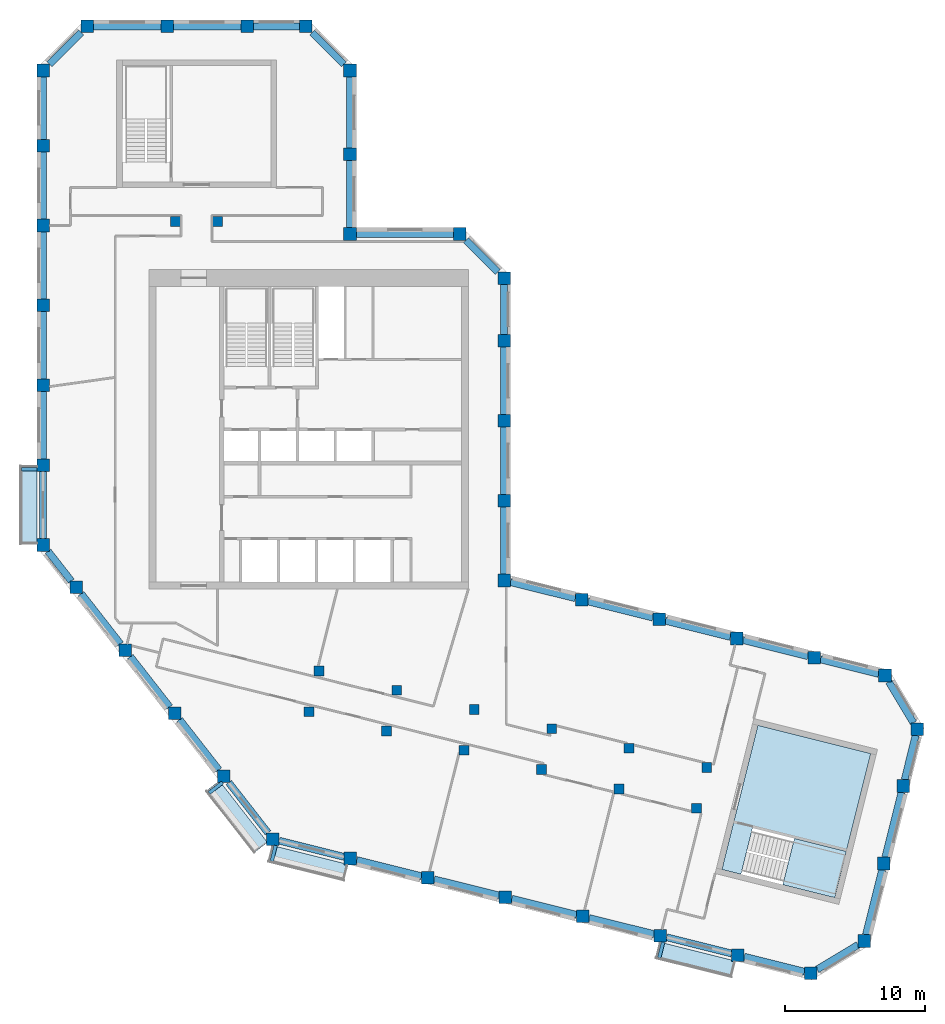
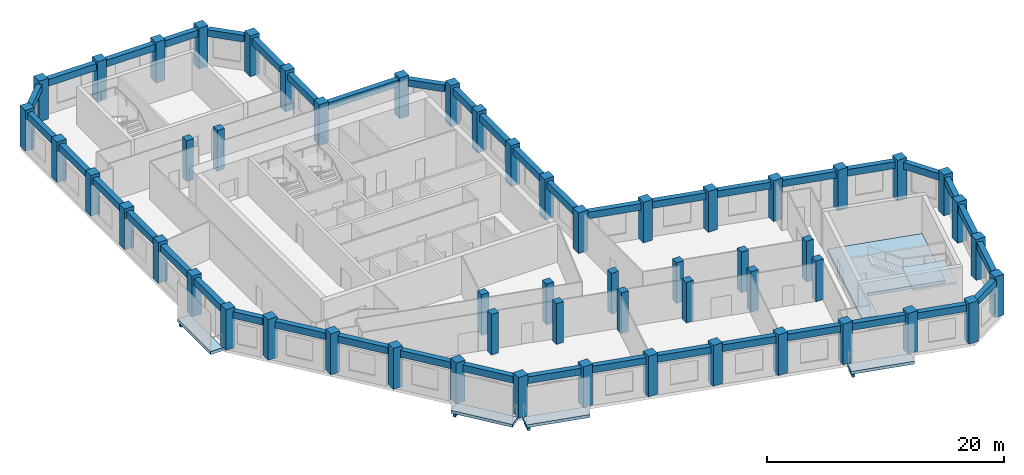
# One storey, part 1 of 8: 55 columns, 45 beams, 6 slabs, 1 element without a shape of its own.
"""IFC4 building model written with IfcOpenShell, lengths in metres."""

from ifc_helpers import new_model, si_unit, direction, frame, origin, origin_2d, place, context, subcontext, project, spatial, polyline, rectangle, outline, extrude, material, layer, layer_set, material_profile, profile_set, type_object, element, aggregate, save


model = new_model("IFC4")

# Units and contexts
model_context = context("Model", 3, precision=1e-05, world=origin(), true_north=direction((0.0, 1.0)))
body_context = subcontext(model_context, "Body", "Model", "MODEL_VIEW")
ifc_project = project(units=[si_unit("LENGTHUNIT", "METRE"), si_unit("AREAUNIT", "SQUARE_METRE"), si_unit("VOLUMEUNIT", "CUBIC_METRE"), si_unit("PLANEANGLEUNIT", "RADIAN"), si_unit("MASSUNIT", "GRAM", prefix="KILO")], contexts=[model_context])

# Site, building, storey
site_placement = place(None, origin())
site = spatial("IfcSite", under=ifc_project, at=site_placement, CompositionType="ELEMENT")
building_placement = place(site_placement, origin())
building = spatial("IfcBuilding", under=site, at=building_placement, Name="Meshkara Civic Tower", CompositionType="ELEMENT")
storey_placement = place(building_placement, frame((0.0, 0.0, 358.199951171875)))
storey = spatial("IfcBuildingStorey", under=building, at=storey_placement, Name="L82", CompositionType="ELEMENT", Elevation=358.199951171875)

# Columns
ifc_material_1 = material(Name="Concrete C50", Category="concrete")
ifc_material_profile_1 = material_profile(ifc_material_1, rectangle(XDim=0.699951171875, YDim=0.699951171875, at=origin_2d()))
ifc_profile_set_1 = profile_set([ifc_material_profile_1], Name="Concrete C50")
column_type_1 = type_object("IfcColumnType", Name="Interior column RC 700x700 C50", PredefinedType="COLUMN", material=ifc_profile_set_1)
for number, where, z_axis, x_axis, name in (
    (1, (9.89990234375, 40.35009765625, 0.0), (0.0, 0.0, 1.0), (1.0, 0.0, 0.0), "Column SA1-04 L82"),
    (2, (12.89990234375, 40.35009765625, 0.0), (0.0, 0.0, 1.0), (1.0, 0.0, 0.0), "Column SA2-04 L82"),
    (3, (19.424072265625, 5.360107421875, 0.0), (0.0, 0.0, 1.0), (1.0, 0.0, 0.0), "Column SB1-00 L82"),
    (4, (24.9541015625, 3.98095703125, 0.0), (0.0, 0.0, 1.0), (1.0, 0.0, 0.0), "Column SB1-01 L82"),
    (5, (30.485107421875, 2.60205078125, 0.0), (0.0, 0.0, 1.0), (1.0, 0.0, 0.0), "Column SB1-02 L82"),
    (6, (36.01611328125, 1.222900390625, 0.0), (0.0, 0.0, 1.0), (1.0, 0.0, 0.0), "Column SB1-03 L82"),
    (7, (41.5458984375, -0.156005859375, 0.0), (0.0, 0.0, 1.0), (1.0, 0.0, 0.0), "Column SB1-04 L82"),
    (8, (47.076904296875, -1.534912109375, 0.0), (0.0, 0.0, 1.0), (1.0, 0.0, 0.0), "Column SB1-05 L82"),
    (9, (20.14892578125, 8.27099609375, 0.0), (0.0, 0.0, 1.0), (1.0, 0.0, 0.0), "Column SB2-00 L82"),
    (10, (25.679931640625, 6.89208984375, 0.0), (0.0, 0.0, 1.0), (1.0, 0.0, 0.0), "Column SB2-01 L82"),
    (11, (31.2109375, 5.512939453125, 0.0), (0.0, 0.0, 1.0), (1.0, 0.0, 0.0), "Column SB2-02 L82"),
    (12, (36.741943359375, 4.134033203125, 0.0), (0.0, 0.0, 1.0), (1.0, 0.0, 0.0), "Column SB2-03 L82"),
    (13, (42.27197265625, 2.7548828125, 0.0), (0.0, 0.0, 1.0), (1.0, 0.0, 0.0), "Column SB2-04 L82"),
    (14, (47.802978515625, 1.3759765625, 0.0), (0.0, 0.0, 1.0), (1.0, 0.0, 0.0), "Column SB2-05 L82"),
):
    element("IfcColumn", number, at=place(storey_placement, frame(where, z_axis=z_axis, x_axis=x_axis)), inside=storey, type_object=column_type_1, Name=name, PredefinedType="COLUMN", context=body_context, shape_type="SweptSolid", body=[
        extrude(rectangle(XDim=0.699951171875, YDim=0.699951171875, at=origin_2d()), origin(), (0.0, 0.0, 1.0), 4.199951171875),
    ])
ifc_material_2 = material(Name="Concrete C50", Category="concrete")
ifc_material_profile_2 = material_profile(ifc_material_2, rectangle(XDim=0.89990234375, YDim=0.89990234375, at=origin_2d()))
ifc_profile_set_2 = profile_set([ifc_material_profile_2], Name="Concrete C50")
column_type_2 = type_object("IfcColumnType", Name="Perimeter column RC 900x900 C50", PredefinedType="COLUMN", material=ifc_profile_set_2)
for number, where, z_axis, x_axis, name in (
    (15, (33.35009765625, 14.718994140625, 0.0), (0.0, 0.0, 1.0), (1.0, 0.0, 0.0), "Column HE00 L82"),
    (16, (33.35009765625, 20.4189453125, 0.0), (0.0, 0.0, 1.0), (1.0, 0.0, 0.0), "Column HE01 L82"),
    (17, (33.35009765625, 26.118896484375, 0.0), (0.0, 0.0, 1.0), (1.0, 0.0, 0.0), "Column HE02 L82"),
    (18, (33.35009765625, 31.819091796875, 0.0), (0.0, 0.0, 1.0), (1.0, 0.0, 0.0), "Column HE03 L82"),
    (19, (33.35009765625, 36.2939453125, 0.0), (0.0, 0.0, 1.0), (1.0, 0.0, 0.0), "Column HEE L82"),
    (20, (30.194091796875, 39.449951171875, 0.0), (0.0, 0.0, 1.0), (1.0, 0.0, 0.0), "Column HCeE L82"),
    (21, (22.35009765625, 39.449951171875, 0.0), (0.0, 0.0, 1.0), (1.0, 0.0, 0.0), "Column HN00 L82"),
    (22, (22.35009765625, 45.14990234375, 0.0), (0.0, 0.0, 1.0), (1.0, 0.0, 0.0), "Column AE01 L82"),
    (23, (22.35009765625, 51.114013671875, 0.0), (0.0, 0.0, 1.0), (1.0, 0.0, 0.0), "Column AEEP5 L82"),
    (24, (19.194091796875, 54.27001953125, 0.0), (0.0, 0.0, 1.0), (1.0, 0.0, 0.0), "Column ATiEP5 L82"),
    (25, (3.60595703125, 54.27001953125, 0.0), (0.0, 0.0, 1.0), (1.0, 0.0, 0.0), "Column AT00-P5 L82"),
    (26, (9.305908203125, 54.27001953125, 0.0), (0.0, 0.0, 1.0), (1.0, 0.0, 0.0), "Column AT01-P5 L82"),
    (27, (15.006103515625, 54.27001953125, 0.0), (0.0, 0.0, 1.0), (1.0, 0.0, 0.0), "Column AT02-P5 L82"),
    (28, (0.449951171875, 51.114013671875, 0.0), (0.0, 0.0, 1.0), (1.0, 0.0, 0.0), "Column ATo00-P5 L82"),
    (29, (0.449951171875, 17.2548828125, 0.0), (0.0, 0.0, 1.0), (1.0, 0.0, 0.0), "Column AW00 L82"),
    (30, (0.449951171875, 22.955078125, 0.0), (0.0, 0.0, 1.0), (1.0, 0.0, 0.0), "Column AW01 L82"),
    (31, (0.449951171875, 28.655029296875, 0.0), (0.0, 0.0, 1.0), (1.0, 0.0, 0.0), "Column AW02 L82"),
    (32, (0.449951171875, 34.35498046875, 0.0), (0.0, 0.0, 1.0), (1.0, 0.0, 0.0), "Column AW03 L82"),
    (33, (0.449951171875, 40.054931640625, 0.0), (0.0, 0.0, 1.0), (1.0, 0.0, 0.0), "Column AW04 L82"),
    (34, (0.449951171875, 45.7548828125, 0.0), (0.0, 0.0, 1.0), (1.0, 0.0, 0.0), "Column AW05 L82"),
    (35, (16.85107421875, -3.738037109375, 0.0), (0.0, 0.0, 1.0), (1.0, 0.0, 0.0), "Column BOW00 L82"),
    (36, (13.342041015625, 0.75390625, 0.0), (0.0, 0.0, 1.0), (1.0, 0.0, 0.0), "Column BOW01 L82"),
    (37, (9.8330078125, 5.2451171875, 0.0), (0.0, 0.0, 1.0), (1.0, 0.0, 0.0), "Column BOW02 L82"),
    (38, (6.322998046875, 9.737060546875, 0.0), (0.0, 0.0, 1.0), (1.0, 0.0, 0.0), "Column BOW03 L82"),
    (39, (2.81396484375, 14.22900390625, 0.0), (0.0, 0.0, 1.0), (1.0, 0.0, 0.0), "Column BOW04 L82"),
    (40, (22.382080078125, -5.116943359375, 0.0), (0.0, 0.0, 1.0), (1.0, 0.0, 0.0), "Column BS01 L82"),
    (41, (27.912109375, -6.49609375, 0.0), (0.0, 0.0, 1.0), (1.0, 0.0, 0.0), "Column BS02 L82"),
    (42, (33.443115234375, -7.875, 0.0), (0.0, 0.0, 1.0), (1.0, 0.0, 0.0), "Column BS03 L82"),
    (43, (38.97412109375, -9.25390625, 0.0), (0.0, 0.0, 1.0), (1.0, 0.0, 0.0), "Column BS04 L82"),
    (44, (44.50390625, -10.633056640625, 0.0), (0.0, 0.0, 1.0), (1.0, 0.0, 0.0), "Column BS05-P4 L82"),
    (45, (50.034912109375, -12.011962890625, 0.0), (0.0, 0.0, 1.0), (1.0, 0.0, 0.0), "Column BS06-P4 L82"),
    (46, (55.235107421875, -13.30810546875, 0.0), (0.0, 0.0, 1.0), (1.0, 0.0, 0.0), "Column BSEP5 L82"),
    (47, (59.06103515625, -11.009033203125, 0.0), (0.0, 0.0, 1.0), (1.0, 0.0, 0.0), "Column BToEP5 L82"),
    (48, (60.43994140625, -5.47802734375, 0.0), (0.0, 0.0, 1.0), (1.0, 0.0, 0.0), "Column BT01-P5 L82"),
    (49, (61.819091796875, 0.052001953125, 0.0), (0.0, 0.0, 1.0), (1.0, 0.0, 0.0), "Column BT02-P5 L82"),
    (50, (62.83203125, 4.114990234375, 0.0), (0.0, 0.0, 1.0), (1.0, 0.0, 0.0), "Column BTEP5 L82"),
    (51, (60.532958984375, 7.94091796875, 0.0), (0.0, 0.0, 1.0), (1.0, 0.0, 0.0), "Column BTi00-P5 L82"),
    (52, (38.881103515625, 13.340087890625, 0.0), (0.0, 0.0, 1.0), (1.0, 0.0, 0.0), "Column BN01 L82"),
    (53, (44.410888671875, 11.9609375, 0.0), (0.0, 0.0, 1.0), (1.0, 0.0, 0.0), "Column BN02 L82"),
    (54, (49.94189453125, 10.58203125, 0.0), (0.0, 0.0, 1.0), (1.0, 0.0, 0.0), "Column BN03 L82"),
    (55, (55.472900390625, 9.202880859375, 0.0), (0.0, 0.0, 1.0), (1.0, 0.0, 0.0), "Column BN04 L82"),
):
    element("IfcColumn", number, at=place(storey_placement, frame(where, z_axis=z_axis, x_axis=x_axis)), inside=storey, type_object=column_type_2, Name=name, PredefinedType="COLUMN", context=body_context, shape_type="SweptSolid", body=[
        extrude(rectangle(XDim=0.89990234375, YDim=0.89990234375, at=origin_2d()), origin(), (0.0, 0.0, 1.0), 4.199951171875),
    ])

# Beams
ifc_material_3 = material(Name="Concrete C50", Category="concrete")
ifc_material_profile_3 = material_profile(ifc_material_3, rectangle(XDim=0.25, YDim=0.39990234375, at=origin_2d()))
ifc_profile_set_3 = profile_set([ifc_material_profile_3], Name="Concrete C50")
beam_type_1 = type_object("IfcBeamType", Name="Balcony bracket beam RC 250x400 C50", PredefinedType="BEAM", material=ifc_profile_set_3)
beam_1_placement = place(storey_placement, frame((0.0048828125, 22.655029296875, -0.5), z_axis=(-1.0, 0.0, 0.0), x_axis=(0.0, -1.0, 0.0)))
element("IfcBeam", 56, at=beam_1_placement, inside=storey, type_object=beam_type_1, Name="Balcony bracket beam", PredefinedType="BEAM", context=body_context, shape_type="SweptSolid", body=[
    extrude(rectangle(XDim=0.25, YDim=0.39990234375, at=origin_2d()), origin(), (0.0, 0.0, 1.0), 1.10498046875),
])
beam_2_placement = place(storey_placement, frame((13.257080078125, 0.306884765625, -0.5), z_axis=(-0.788012120422, -0.615659725878, 0.0), x_axis=(0.615659725878, -0.788012120422, 0.0)))
element("IfcBeam", 57, at=beam_2_placement, inside=storey, type_object=beam_type_1, Name="Balcony bracket beam", PredefinedType="BEAM", context=body_context, shape_type="SweptSolid", body=[
    extrude(rectangle(XDim=0.25, YDim=0.39990234375, at=origin_2d()), origin(), (0.0, 0.0, 1.0), 1.208251953125),
])
beam_3_placement = place(storey_placement, frame((17.049072265625, -4.18310546875, -0.5), z_axis=(-0.241944119929, -0.970290184858, 0.0), x_axis=(0.970290184858, -0.241944119929, 0.0)))
element("IfcBeam", 58, at=beam_3_placement, inside=storey, type_object=beam_type_1, Name="Balcony bracket beam", PredefinedType="BEAM", context=body_context, shape_type="SweptSolid", body=[
    extrude(rectangle(XDim=0.25, YDim=0.39990234375, at=origin_2d()), origin(), (0.0, 0.0, 1.0), 1.16552734375),
])
beam_4_placement = place(storey_placement, frame((44.701904296875, -11.077880859375, -0.5), z_axis=(-0.241894953997, -0.970302443175, 0.0), x_axis=(0.970302443175, -0.241894953997, 0.0)))
element("IfcBeam", 59, at=beam_4_placement, inside=storey, type_object=beam_type_1, Name="Balcony bracket beam", PredefinedType="BEAM", context=body_context, shape_type="SweptSolid", body=[
    extrude(rectangle(XDim=0.25, YDim=0.39990234375, at=origin_2d()), origin(), (0.0, 0.0, 1.0), 1.165771484375),
])
ifc_material_4 = material(Name="Concrete C50", Category="concrete")
ifc_material_profile_4 = material_profile(ifc_material_4, rectangle(XDim=0.5, YDim=0.699951171875, at=origin_2d()))
ifc_profile_set_4 = profile_set([ifc_material_profile_4], Name="Concrete C50")
beam_type_2 = type_object("IfcBeamType", Name="Spandrel beam RC 500x700 C50", PredefinedType="BEAM", material=ifc_profile_set_4)
for number, where, z_axis, x_axis, name in (
    (60, (55.02783203125, 9.31396484375, 3.550048828125), (-0.970298442389, 0.241911001604, 0.0), (-0.241911001604, -0.970298442389, 0.0), "Spandrel beam BN03-BN04"),
    (61, (49.496826171875, 10.693115234375, 3.550048828125), (-0.970298442389, 0.241911001604, 0.0), (-0.241911001604, -0.970298442389, 0.0), "Spandrel beam BN02-BN03"),
):
    element("IfcBeam", number, at=place(storey_placement, frame(where, z_axis=z_axis, x_axis=x_axis)), inside=storey, type_object=beam_type_2, Name=name, PredefinedType="BEAM", context=body_context, shape_type="SweptSolid", body=[
        extrude(rectangle(XDim=0.5, YDim=0.699951171875, at=origin_2d()), origin(), (0.0, 0.0, 1.0), 4.78271484375),
    ])
beam_5_placement = place(storey_placement, frame((43.9658203125, 12.072021484375, 3.550048828125), z_axis=(-0.970286489601, 0.241958938867, 0.0), x_axis=(-0.241958938867, -0.970286489601, 0.0)))
element("IfcBeam", 62, at=beam_5_placement, inside=storey, type_object=beam_type_2, Name="Spandrel beam BN01-BN02", PredefinedType="BEAM", context=body_context, shape_type="SweptSolid", body=[
    extrude(rectangle(XDim=0.5, YDim=0.699951171875, at=origin_2d()), origin(), (0.0, 0.0, 1.0), 4.78173828125),
])
beam_6_placement = place(storey_placement, frame((38.435791015625, 13.450927734375, 3.550048828125), z_axis=(-0.970298442389, 0.241911001604, 0.0), x_axis=(-0.241911001604, -0.970298442389, 0.0)))
element("IfcBeam", 63, at=beam_6_placement, inside=storey, type_object=beam_type_2, Name="Spandrel beam BN01-HE00", PredefinedType="BEAM", context=body_context, shape_type="SweptSolid", body=[
    extrude(rectangle(XDim=0.5, YDim=0.699951171875, at=origin_2d()), origin(), (0.0, 0.0, 1.0), 4.78271484375),
])
for number, where, z_axis, x_axis, name in (
    (64, (33.35009765625, 15.1640625, 3.550048828125), (0.0, 1.0, 0.0), (-1.0, 0.0, 0.0), "Spandrel beam HE00-HE01"),
    (65, (33.35009765625, 20.864013671875, 3.550048828125), (0.0, 1.0, 0.0), (-1.0, 0.0, 0.0), "Spandrel beam HE01-HE02"),
    (66, (33.35009765625, 26.56396484375, 3.550048828125), (0.0, 1.0, 0.0), (-1.0, 0.0, 0.0), "Spandrel beam HE02-HE03"),
):
    element("IfcBeam", number, at=place(storey_placement, frame(where, z_axis=z_axis, x_axis=x_axis)), inside=storey, type_object=beam_type_2, Name=name, PredefinedType="BEAM", context=body_context, shape_type="SweptSolid", body=[
        extrude(rectangle(XDim=0.5, YDim=0.699951171875, at=origin_2d()), origin(), (0.0, 0.0, 1.0), 4.81005859375),
    ])
beam_7_placement = place(storey_placement, frame((33.35009765625, 32.263916015625, 3.550048828125), z_axis=(0.0, 1.0, 0.0), x_axis=(-1.0, 0.0, 0.0)))
element("IfcBeam", 67, at=beam_7_placement, inside=storey, type_object=beam_type_2, Name="Spandrel beam HE03-HEE", PredefinedType="BEAM", context=body_context, shape_type="SweptSolid", body=[
    extrude(rectangle(XDim=0.5, YDim=0.699951171875, at=origin_2d()), origin(), (0.0, 0.0, 1.0), 3.585205078125),
])
beam_8_placement = place(storey_placement, frame((32.903564453125, 36.740478515625, 3.550048828125), z_axis=(-0.707144921739, 0.707068638576, 0.0), x_axis=(-0.707068638576, -0.707144921739, 0.0)))
element("IfcBeam", 68, at=beam_8_placement, inside=storey, type_object=beam_type_2, Name="Spandrel beam HCeE-HEE", PredefinedType="BEAM", context=body_context, shape_type="SweptSolid", body=[
    extrude(rectangle(XDim=0.5, YDim=0.699951171875, at=origin_2d()), origin(), (0.0, 0.0, 1.0), 3.200439453125),
])
beam_9_placement = place(storey_placement, frame((29.7490234375, 39.449951171875, 3.550048828125), z_axis=(-1.0, 0.0, 0.0), x_axis=(0.0, -1.0, 0.0)))
element("IfcBeam", 69, at=beam_9_placement, inside=storey, type_object=beam_type_2, Name="Spandrel beam HCeE-HN00", PredefinedType="BEAM", context=body_context, shape_type="SweptSolid", body=[
    extrude(rectangle(XDim=0.5, YDim=0.699951171875, at=origin_2d()), origin(), (0.0, 0.0, 1.0), 6.9541015625),
])
beam_10_placement = place(storey_placement, frame((22.35009765625, 39.89501953125, 3.550048828125), z_axis=(0.0, 1.0, 0.0), x_axis=(-1.0, 0.0, 0.0)))
element("IfcBeam", 70, at=beam_10_placement, inside=storey, type_object=beam_type_2, Name="Spandrel beam AE01-HN00", PredefinedType="BEAM", context=body_context, shape_type="SweptSolid", body=[
    extrude(rectangle(XDim=0.5, YDim=0.699951171875, at=origin_2d()), origin(), (0.0, 0.0, 1.0), 4.81005859375),
])
beam_11_placement = place(storey_placement, frame((22.35009765625, 45.594970703125, 3.550048828125), z_axis=(0.0, 1.0, 0.0), x_axis=(-1.0, 0.0, 0.0)))
element("IfcBeam", 71, at=beam_11_placement, inside=storey, type_object=beam_type_2, Name="Spandrel beam AE01-AEEP5", PredefinedType="BEAM", context=body_context, shape_type="SweptSolid", body=[
    extrude(rectangle(XDim=0.5, YDim=0.699951171875, at=origin_2d()), origin(), (0.0, 0.0, 1.0), 5.073974609375),
])
beam_12_placement = place(storey_placement, frame((21.903564453125, 51.560546875, 3.550048828125), z_axis=(-0.707144921739, 0.707068638576, 0.0), x_axis=(-0.707068638576, -0.707144921739, 0.0)))
element("IfcBeam", 72, at=beam_12_placement, inside=storey, type_object=beam_type_2, Name="Spandrel beam AEEP5-ATiEP5", PredefinedType="BEAM", context=body_context, shape_type="SweptSolid", body=[
    extrude(rectangle(XDim=0.5, YDim=0.699951171875, at=origin_2d()), origin(), (0.0, 0.0, 1.0), 3.200439453125),
])
beam_13_placement = place(storey_placement, frame((18.7490234375, 54.27001953125, 3.550048828125), z_axis=(-1.0, 0.0, 0.0), x_axis=(0.0, -1.0, 0.0)))
element("IfcBeam", 73, at=beam_13_placement, inside=storey, type_object=beam_type_2, Name="Spandrel beam AT02-P5-ATiEP5", PredefinedType="BEAM", context=body_context, shape_type="SweptSolid", body=[
    extrude(rectangle(XDim=0.5, YDim=0.699951171875, at=origin_2d()), origin(), (0.0, 0.0, 1.0), 3.298095703125),
])
for number, where, z_axis, x_axis, name in (
    (74, (14.56103515625, 54.27001953125, 3.550048828125), (-1.0, 0.0, 0.0), (0.0, -1.0, 0.0), "Spandrel beam AT01-P5-AT02-P5"),
    (75, (8.861083984375, 54.27001953125, 3.550048828125), (-1.0, 0.0, 0.0), (0.0, -1.0, 0.0), "Spandrel beam AT00-P5-AT01-P5"),
):
    element("IfcBeam", number, at=place(storey_placement, frame(where, z_axis=z_axis, x_axis=x_axis)), inside=storey, type_object=beam_type_2, Name=name, PredefinedType="BEAM", context=body_context, shape_type="SweptSolid", body=[
        extrude(rectangle(XDim=0.5, YDim=0.699951171875, at=origin_2d()), origin(), (0.0, 0.0, 1.0), 4.81005859375),
    ])
beam_14_placement = place(storey_placement, frame((3.159423828125, 53.823486328125, 3.550048828125), z_axis=(-0.707106781187, -0.707106781187, 0.0), x_axis=(0.707106781187, -0.707106781187, 0.0)))
element("IfcBeam", 76, at=beam_14_placement, inside=storey, type_object=beam_type_2, Name="Spandrel beam AT00-P5-ATo00-P5", PredefinedType="BEAM", context=body_context, shape_type="SweptSolid", body=[
    extrude(rectangle(XDim=0.5, YDim=0.699951171875, at=origin_2d()), origin(), (0.0, 0.0, 1.0), 3.2001953125),
])
beam_15_placement = place(storey_placement, frame((0.449951171875, 50.6689453125, 3.550048828125), z_axis=(0.0, -1.0, 0.0), x_axis=(1.0, 0.0, 0.0)))
element("IfcBeam", 77, at=beam_15_placement, inside=storey, type_object=beam_type_2, Name="Spandrel beam ATo00-P5-AW05", PredefinedType="BEAM", context=body_context, shape_type="SweptSolid", body=[
    extrude(rectangle(XDim=0.5, YDim=0.699951171875, at=origin_2d()), origin(), (0.0, 0.0, 1.0), 4.468994140625),
])
for number, where, z_axis, x_axis, name in (
    (78, (0.449951171875, 45.31005859375, 3.550048828125), (0.0, -1.0, 0.0), (1.0, 0.0, 0.0), "Spandrel beam AW04-AW05"),
    (79, (0.449951171875, 39.610107421875, 3.550048828125), (0.0, -1.0, 0.0), (1.0, 0.0, 0.0), "Spandrel beam AW03-AW04"),
):
    element("IfcBeam", number, at=place(storey_placement, frame(where, z_axis=z_axis, x_axis=x_axis)), inside=storey, type_object=beam_type_2, Name=name, PredefinedType="BEAM", context=body_context, shape_type="SweptSolid", body=[
        extrude(rectangle(XDim=0.5, YDim=0.699951171875, at=origin_2d()), origin(), (0.0, 0.0, 1.0), 4.81005859375),
    ])
beam_16_placement = place(storey_placement, frame((0.449951171875, 33.909912109375, 3.550048828125), z_axis=(0.0, -1.0, 0.0), x_axis=(1.0, 0.0, 0.0)))
element("IfcBeam", 80, at=beam_16_placement, inside=storey, type_object=beam_type_2, Name="Spandrel beam AW02-AW03", PredefinedType="BEAM", context=body_context, shape_type="SweptSolid", body=[
    extrude(rectangle(XDim=0.5, YDim=0.699951171875, at=origin_2d()), origin(), (0.0, 0.0, 1.0), 4.809814453125),
])
for number, where, z_axis, x_axis, name in (
    (81, (0.449951171875, 28.2099609375, 3.550048828125), (0.0, -1.0, 0.0), (1.0, 0.0, 0.0), "Spandrel beam AW01-AW02"),
    (82, (0.449951171875, 22.510009765625, 3.550048828125), (0.0, -1.0, 0.0), (1.0, 0.0, 0.0), "Spandrel beam AW00-AW01"),
):
    element("IfcBeam", number, at=place(storey_placement, frame(where, z_axis=z_axis, x_axis=x_axis)), inside=storey, type_object=beam_type_2, Name=name, PredefinedType="BEAM", context=body_context, shape_type="SweptSolid", body=[
        extrude(rectangle(XDim=0.5, YDim=0.699951171875, at=origin_2d()), origin(), (0.0, 0.0, 1.0), 4.81005859375),
    ])
beam_17_placement = place(storey_placement, frame((0.798583984375, 16.808837890625, 3.550048828125), z_axis=(0.615637043197, -0.788029841468, 0.0), x_axis=(0.788029841468, 0.615637043197, 0.0)))
element("IfcBeam", 83, at=beam_17_placement, inside=storey, type_object=beam_type_2, Name="Spandrel beam AW00-BOW04", PredefinedType="BEAM", context=body_context, shape_type="SweptSolid", body=[
    extrude(rectangle(XDim=0.5, YDim=0.699951171875, at=origin_2d()), origin(), (0.0, 0.0, 1.0), 2.707763671875),
])
beam_18_placement = place(storey_placement, frame((3.162353515625, 13.782958984375, 3.550048828125), z_axis=(0.615626410665, -0.788038147865, 0.0), x_axis=(0.788038147865, 0.615626410665, 0.0)))
element("IfcBeam", 84, at=beam_18_placement, inside=storey, type_object=beam_type_2, Name="Spandrel beam BOW03-BOW04", PredefinedType="BEAM", context=body_context, shape_type="SweptSolid", body=[
    extrude(rectangle(XDim=0.5, YDim=0.699951171875, at=origin_2d()), origin(), (0.0, 0.0, 1.0), 4.568115234375),
])
beam_19_placement = place(storey_placement, frame((6.67138671875, 9.291015625, 3.550048828125), z_axis=(0.615759141311, -0.787934438829, 0.0), x_axis=(0.787934438829, 0.615759141311, 0.0)))
element("IfcBeam", 85, at=beam_19_placement, inside=storey, type_object=beam_type_2, Name="Spandrel beam BOW02-BOW03", PredefinedType="BEAM", context=body_context, shape_type="SweptSolid", body=[
    extrude(rectangle(XDim=0.5, YDim=0.699951171875, at=origin_2d()), origin(), (0.0, 0.0, 1.0), 4.568603515625),
])
beam_20_placement = place(storey_placement, frame((10.181396484375, 4.798828125, 3.550048828125), z_axis=(0.615722879711, -0.78796277539, 0.0), x_axis=(0.78796277539, 0.615722879711, 0.0)))
element("IfcBeam", 86, at=beam_20_placement, inside=storey, type_object=beam_type_2, Name="Spandrel beam BOW01-BOW02", PredefinedType="BEAM", context=body_context, shape_type="SweptSolid", body=[
    extrude(rectangle(XDim=0.5, YDim=0.699951171875, at=origin_2d()), origin(), (0.0, 0.0, 1.0), 4.56689453125),
])
beam_21_placement = place(storey_placement, frame((13.6904296875, 0.307861328125, 3.550048828125), z_axis=(0.615626410665, -0.788038147865, 0.0), x_axis=(0.788038147865, 0.615626410665, 0.0)))
element("IfcBeam", 87, at=beam_21_placement, inside=storey, type_object=beam_type_2, Name="Spandrel beam BOW00-BOW01", PredefinedType="BEAM", context=body_context, shape_type="SweptSolid", body=[
    extrude(rectangle(XDim=0.5, YDim=0.699951171875, at=origin_2d()), origin(), (0.0, 0.0, 1.0), 4.568115234375),
])
beam_22_placement = place(storey_placement, frame((17.296142578125, -3.84912109375, 3.550048828125), z_axis=(0.970301429476, -0.241899020164, 0.0), x_axis=(0.241899020164, 0.970301429476, 0.0)))
element("IfcBeam", 88, at=beam_22_placement, inside=storey, type_object=beam_type_2, Name="Spandrel beam BOW00-BS01", PredefinedType="BEAM", context=body_context, shape_type="SweptSolid", body=[
    extrude(rectangle(XDim=0.5, YDim=0.699951171875, at=origin_2d()), origin(), (0.0, 0.0, 1.0), 4.782958984375),
])
beam_23_placement = place(storey_placement, frame((22.8271484375, -5.22802734375, 3.550048828125), z_axis=(0.970286489601, -0.241958938867, 0.0), x_axis=(0.241958938867, 0.970286489601, 0.0)))
element("IfcBeam", 89, at=beam_23_placement, inside=storey, type_object=beam_type_2, Name="Spandrel beam BS01-BS02", PredefinedType="BEAM", context=body_context, shape_type="SweptSolid", body=[
    extrude(rectangle(XDim=0.5, YDim=0.699951171875, at=origin_2d()), origin(), (0.0, 0.0, 1.0), 4.78173828125),
])
for number, where, z_axis, x_axis, name in (
    (90, (28.357177734375, -6.60693359375, 3.550048828125), (0.970298442389, -0.241911001604, 0.0), (0.241911001604, 0.970298442389, 0.0), "Spandrel beam BS02-BS03"),
    (91, (33.88818359375, -7.986083984375, 3.550048828125), (0.970298442389, -0.241911001604, 0.0), (0.241911001604, 0.970298442389, 0.0), "Spandrel beam BS03-BS04"),
):
    element("IfcBeam", number, at=place(storey_placement, frame(where, z_axis=z_axis, x_axis=x_axis)), inside=storey, type_object=beam_type_2, Name=name, PredefinedType="BEAM", context=body_context, shape_type="SweptSolid", body=[
        extrude(rectangle(XDim=0.5, YDim=0.699951171875, at=origin_2d()), origin(), (0.0, 0.0, 1.0), 4.78271484375),
    ])
beam_24_placement = place(storey_placement, frame((39.419189453125, -9.364990234375, 3.550048828125), z_axis=(0.970286489601, -0.241958938867, 0.0), x_axis=(0.241958938867, 0.970286489601, 0.0)))
element("IfcBeam", 92, at=beam_24_placement, inside=storey, type_object=beam_type_2, Name="Spandrel beam BS04-BS05-P4", PredefinedType="BEAM", context=body_context, shape_type="SweptSolid", body=[
    extrude(rectangle(XDim=0.5, YDim=0.699951171875, at=origin_2d()), origin(), (0.0, 0.0, 1.0), 4.78173828125),
])
beam_25_placement = place(storey_placement, frame((44.94921875, -10.743896484375, 3.550048828125), z_axis=(0.970298442389, -0.241911001604, 0.0), x_axis=(0.241911001604, 0.970298442389, 0.0)))
element("IfcBeam", 93, at=beam_25_placement, inside=storey, type_object=beam_type_2, Name="Spandrel beam BS05-P4-BS06-P4", PredefinedType="BEAM", context=body_context, shape_type="SweptSolid", body=[
    extrude(rectangle(XDim=0.5, YDim=0.699951171875, at=origin_2d()), origin(), (0.0, 0.0, 1.0), 4.78271484375),
])
beam_26_placement = place(storey_placement, frame((50.47998046875, -12.122802734375, 3.550048828125), z_axis=(0.97031362237, -0.241850106975, 0.0), x_axis=(0.241850106975, 0.97031362237, 0.0)))
element("IfcBeam", 94, at=beam_26_placement, inside=storey, type_object=beam_type_2, Name="Spandrel beam BS06-P4-BSEP5", PredefinedType="BEAM", context=body_context, shape_type="SweptSolid", body=[
    extrude(rectangle(XDim=0.5, YDim=0.699951171875, at=origin_2d()), origin(), (0.0, 0.0, 1.0), 4.441650390625),
])
beam_27_placement = place(storey_placement, frame((55.6806640625, -13.040283203125, 3.550048828125), z_axis=(0.857146668312, 0.515072411416, 0.0), x_axis=(-0.515072411416, 0.857146668312, 0.0)))
element("IfcBeam", 95, at=beam_27_placement, inside=storey, type_object=beam_type_2, Name="Spandrel beam BSEP5-BToEP5", PredefinedType="BEAM", context=body_context, shape_type="SweptSolid", body=[
    extrude(rectangle(XDim=0.5, YDim=0.699951171875, at=origin_2d()), origin(), (0.0, 0.0, 1.0), 3.423583984375),
])
beam_28_placement = place(storey_placement, frame((59.172119140625, -10.56396484375, 3.550048828125), z_axis=(0.241899020164, 0.970301429476, 0.0), x_axis=(-0.970301429476, 0.241899020164, 0.0)))
element("IfcBeam", 96, at=beam_28_placement, inside=storey, type_object=beam_type_2, Name="Spandrel beam BT01-P5-BToEP5", PredefinedType="BEAM", context=body_context, shape_type="SweptSolid", body=[
    extrude(rectangle(XDim=0.5, YDim=0.699951171875, at=origin_2d()), origin(), (0.0, 0.0, 1.0), 4.782958984375),
])
beam_29_placement = place(storey_placement, frame((60.551025390625, -5.032958984375, 3.550048828125), z_axis=(0.241946952825, 0.970289478464, 0.0), x_axis=(-0.970289478464, 0.241946952825, 0.0)))
element("IfcBeam", 97, at=beam_29_placement, inside=storey, type_object=beam_type_2, Name="Spandrel beam BT01-P5-BT02-P5", PredefinedType="BEAM", context=body_context, shape_type="SweptSolid", body=[
    extrude(rectangle(XDim=0.5, YDim=0.699951171875, at=origin_2d()), origin(), (0.0, 0.0, 1.0), 4.781982421875),
])
beam_30_placement = place(storey_placement, frame((61.929931640625, 0.4970703125, 3.550048828125), z_axis=(0.241903146974, 0.970300400641, 0.0), x_axis=(-0.970300400641, 0.241903146974, 0.0)))
element("IfcBeam", 98, at=beam_30_placement, inside=storey, type_object=beam_type_2, Name="Spandrel beam BT02-P5-BTEP5", PredefinedType="BEAM", context=body_context, shape_type="SweptSolid", body=[
    extrude(rectangle(XDim=0.5, YDim=0.699951171875, at=origin_2d()), origin(), (0.0, 0.0, 1.0), 3.27001953125),
])
beam_31_placement = place(storey_placement, frame((62.564208984375, 4.560791015625, 3.550048828125), z_axis=(-0.515072411416, 0.857146668312, 0.0), x_axis=(-0.857146668312, -0.515072411416, 0.0)))
element("IfcBeam", 99, at=beam_31_placement, inside=storey, type_object=beam_type_2, Name="Spandrel beam BTEP5-BTi00-P5", PredefinedType="BEAM", context=body_context, shape_type="SweptSolid", body=[
    extrude(rectangle(XDim=0.5, YDim=0.699951171875, at=origin_2d()), origin(), (0.0, 0.0, 1.0), 3.423583984375),
])
beam_32_placement = place(storey_placement, frame((60.087890625, 8.052001953125, 3.550048828125), z_axis=(-0.970272690872, 0.242014266826, 0.0), x_axis=(-0.242014266826, -0.970272690872, 0.0)))
element("IfcBeam", 100, at=beam_32_placement, inside=storey, type_object=beam_type_2, Name="Spandrel beam BN04-BTi00-P5", PredefinedType="BEAM", context=body_context, shape_type="SweptSolid", body=[
    extrude(rectangle(XDim=0.5, YDim=0.699951171875, at=origin_2d()), origin(), (0.0, 0.0, 1.0), 4.29736328125),
])

# Slabs
ifc_material_5 = material(Name="Concrete C40", Category="concrete")
ifc_layer_1 = layer(ifc_material_5, 0.300048828125)
ifc_layer_set_1 = layer_set([ifc_layer_1], Name="BALCONY SLAB")
slab_type_1 = type_object("IfcSlabType", Name="BALCONY SLAB", PredefinedType="FLOOR", material=ifc_layer_set_1)
slab_1_placement = place(storey_placement, frame((0.0, 0.0, -0.300048828125)))
element("IfcSlab", 101, at=slab_1_placement, inside=storey, type_object=slab_type_1, Name="Balcony slab", PredefinedType="FLOOR", context=body_context, shape_type="SweptSolid", body=[
    extrude(outline(polyline([(0.0, 17.705078125), (0.0, 17.31494140625), (-1.199951171875, 17.31494140625), (-1.199951171875, 22.89501953125), (0.0, 22.89501953125), (0.0, 22.5048828125), (0.0, 17.705078125)])), origin(), (0.0, 0.0, 1.0), 0.300048828125),
])
slab_2_placement = place(storey_placement, frame((0.0, 0.0, -0.300048828125)))
element("IfcSlab", 102, at=slab_2_placement, inside=storey, type_object=slab_type_1, Name="Balcony slab", PredefinedType="FLOOR", context=body_context, shape_type="SweptSolid", body=[
    extrude(outline(polyline([(15.513916015625, -4.7060546875), (12.0791015625, -0.30908203125), (12.89208984375, 0.325927734375), (12.89208984375, 0.303955078125), (13.1220703125, 0.303955078125), (16.40087890625, -3.89306640625), (16.40087890625, -4.012939453125), (15.513916015625, -4.7060546875)])), origin(), (0.0, 0.0, 1.0), 0.300048828125),
])
slab_3_placement = place(storey_placement, frame((0.0, 0.0, -0.300048828125)))
element("IfcSlab", 103, at=slab_3_placement, inside=storey, type_object=slab_type_1, Name="Balcony slab", PredefinedType="FLOOR", context=body_context, shape_type="SweptSolid", body=[
    extrude(outline(polyline([(21.925048828125, -6.702880859375), (16.510009765625, -5.35302734375), (16.800048828125, -4.18896484375), (21.931884765625, -5.468017578125), (21.931884765625, -5.56689453125), (22.2080078125, -5.56689453125), (21.925048828125, -6.702880859375)])), origin(), (0.0, 0.0, 1.0), 0.300048828125),
])
slab_4_placement = place(storey_placement, frame((0.0, 0.0, -0.300048828125)))
element("IfcSlab", 104, at=slab_4_placement, inside=storey, type_object=slab_type_1, Name="Balcony slab", PredefinedType="FLOOR", context=body_context, shape_type="SweptSolid", body=[
    extrude(outline(polyline([(49.577880859375, -13.597900390625), (44.1630859375, -12.248046875), (44.452880859375, -11.083984375), (49.5849609375, -12.363037109375), (49.5849609375, -12.4619140625), (49.861083984375, -12.4619140625), (49.577880859375, -13.597900390625)])), origin(), (0.0, 0.0, 1.0), 0.300048828125),
])
ifc_material_6 = material(Name="Concrete C40/50", Category="concrete")
ifc_layer_2 = layer(ifc_material_6, 0.300048828125)
ifc_layer_set_2 = layer_set([ifc_layer_2], Name="Core floor slab 300 C40/50")
slab_type_2 = type_object("IfcSlabType", Name="Core floor slab 300 C40/50", PredefinedType="FLOOR", material=ifc_layer_set_2)
slab_5_placement = place(storey_placement, frame((0.0, 0.0, -0.300048828125)))
element("IfcSlab", 105, at=slab_5_placement, inside=storey, type_object=slab_type_2, Name="Core floor EB", PredefinedType="FLOOR", context=body_context, shape_type="SweptSolid", body=[
    extrude(outline(polyline([(51.45849609375, 4.381103515625), (59.511962890625, 2.373291015625), (57.77001953125, -4.61279296875), (51.076416015625, -2.944091796875), (50.25390625, -6.242919921875), (48.89404296875, -5.90380859375), (51.45849609375, 4.381103515625)])), origin(), (0.0, 0.0, 1.0), 0.300048828125),
])

# Stair, slab
ifc_material_7 = material(Name="Precast concrete C40/50", Category="concrete")
stair_type = type_object("IfcStairType", Name="Exit stair half-turn 24 risers precast", PredefinedType="HALF_TURN_STAIR", material=ifc_material_7)
stair_placement = place(storey_placement, origin())
stair = element("IfcStair", 106, at=stair_placement, inside=storey, type_object=stair_type, Name="L82 exit stair B from L80", PredefinedType="HALF_TURN_STAIR")
ifc_material_8 = material(Name="Precast concrete C40/50", Category="concrete")
ifc_layer_3 = layer(ifc_material_8, 0.199951171875)
ifc_layer_set_3 = layer_set([ifc_layer_3], Name="Exit stair landing 200")
slab_type_3 = type_object("IfcSlabType", Name="Exit stair landing 200", PredefinedType="LANDING", material=ifc_layer_set_3)
slab_6_placement = place(storey_placement, frame((0.0, 0.0, 1.900146484375)))
slab_6 = element("IfcSlab", 107, at=slab_6_placement, type_object=slab_type_3, Name="ESB6 landing 1", PredefinedType="LANDING", context=body_context, shape_type="SweptSolid", body=[
    extrude(outline(polyline([(53.2392578125, -6.987548828125), (56.947998046875, -7.912109375), (57.7705078125, -4.612060546875), (54.0615234375, -3.687744140625), (53.2392578125, -6.987548828125)])), origin(), (0.0, 0.0, 1.0), 0.199951171875),
])
aggregate(stair, [slab_6])

save(model, "model.ifc")
